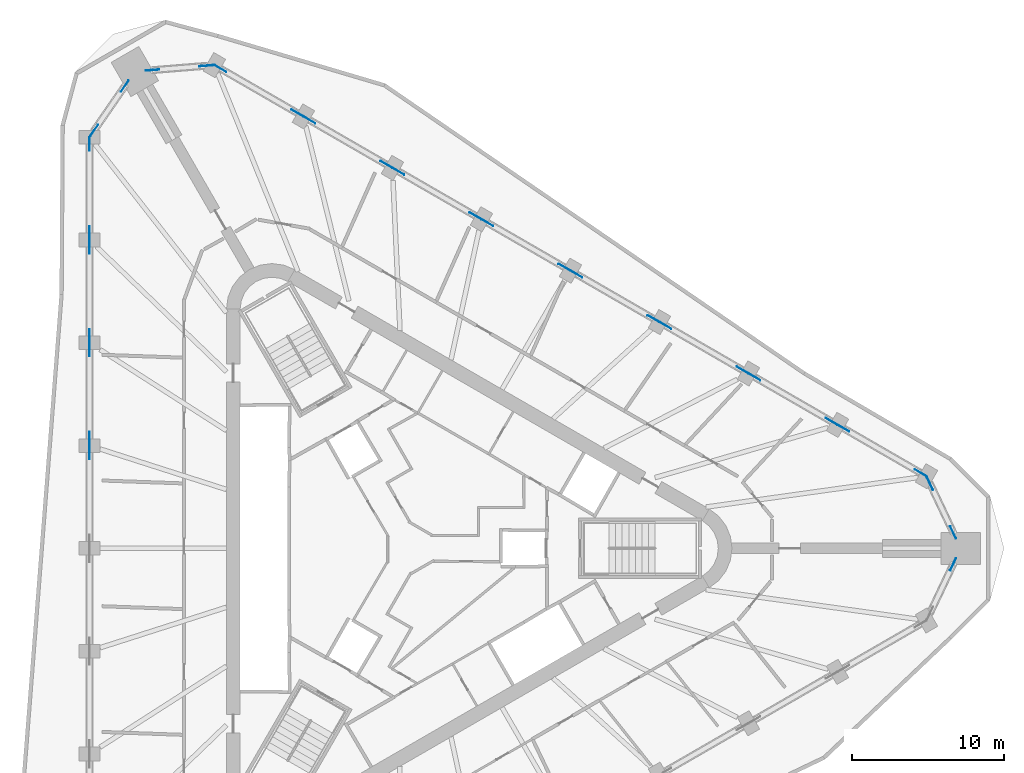
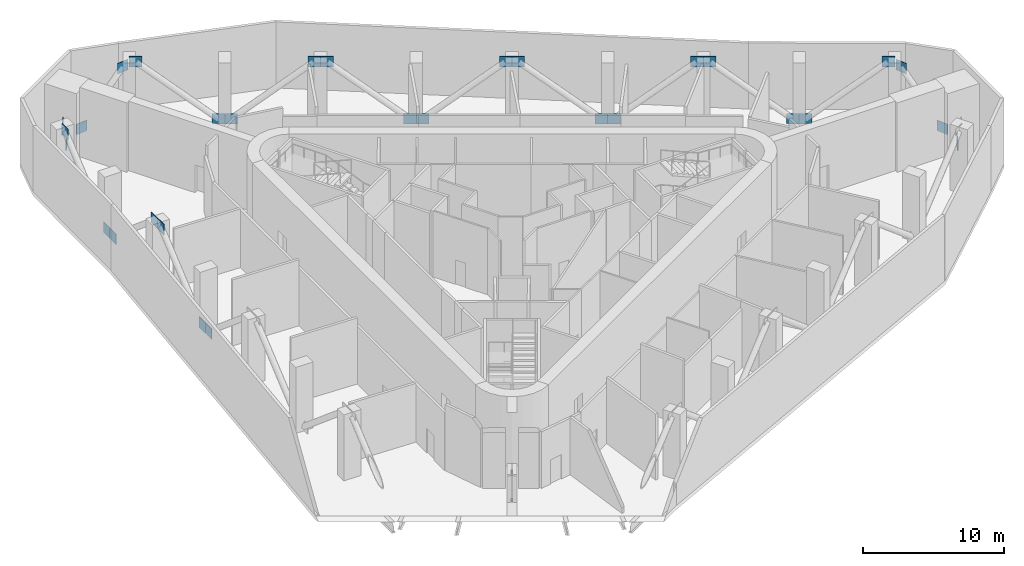
# One storey, part 10 of 12: 30 discrete accessories.
"""IFC4 building model written with IfcOpenShell, lengths in metres."""

from ifc_helpers import new_model, si_unit, direction, frame, origin, origin_2d, place, context, subcontext, project, spatial, rectangle, extrude, material, layer, layer_set, type_object, element, save


model = new_model("IFC4")

# Units and contexts
model_context = context("Model", 3, precision=1e-05, world=origin(), true_north=direction((0.0, 1.0)))
body_context = subcontext(model_context, "Body", "Model", "MODEL_VIEW")
ifc_project = project(units=[si_unit("LENGTHUNIT", "METRE"), si_unit("AREAUNIT", "SQUARE_METRE"), si_unit("VOLUMEUNIT", "CUBIC_METRE"), si_unit("PLANEANGLEUNIT", "RADIAN"), si_unit("MASSUNIT", "GRAM", prefix="KILO")], contexts=[model_context])

# Site, building, storey
site_placement = place(None, origin())
site = spatial("IfcSite", under=ifc_project, at=site_placement, CompositionType="ELEMENT")
building_placement = place(site_placement, origin())
building = spatial("IfcBuilding", under=site, at=building_placement, Name="Tanit Gate Tower", CompositionType="ELEMENT")
storey_placement = place(building_placement, frame((0.0, 0.0, 292.699951171875)))
storey = spatial("IfcBuildingStorey", under=building, at=storey_placement, Name="L65", CompositionType="ELEMENT", Elevation=292.699951171875)

# Discrete accessories
ifc_material = material(Name="Steel S460", Category="steel")
ifc_layer = layer(ifc_material, 0.0400390625)
ifc_layer_set = layer_set([ifc_layer], Name="GUSSET PLATE 900x900x40 S460")
discrete_accessory_type = type_object("IfcDiscreteAccessoryType", Name="GUSSET PLATE 900x900x40 S460", PredefinedType="BRACKET", material=ifc_layer_set)
for number, where, z_axis, x_axis, name in (
    (1, (-21.121337890625, 6.321044921875, -0.071044921875), (0.0, 0.0, 1.0), (0.0, -1.0, 0.0), "GUSSET PLATE NODE L65-098"),
    (2, (-21.121337890625, 7.220947265625, -0.071044921875), (0.0, 0.0, 1.0), (0.0, 1.0, 0.0), "GUSSET PLATE NODE L65-099"),
    (3, (-21.121337890625, 13.092041015625, 4.871337890625), (0.0, 0.0, 1.0), (0.0, -1.0, 0.0), "GUSSET PLATE NODE L65-100"),
    (4, (-21.121337890625, 13.991943359375, 4.871337890625), (0.0, 0.0, 1.0), (0.0, 1.0, 0.0), "GUSSET PLATE NODE L65-101"),
    (5, (-21.121337890625, 19.86279296875, -0.071044921875), (0.0, 0.0, 1.0), (0.0, -1.0, 0.0), "GUSSET PLATE NODE L65-102"),
    (6, (-21.121337890625, 20.762939453125, -0.071044921875), (0.0, 0.0, 1.0), (0.0, 1.0, 0.0), "GUSSET PLATE NODE L65-103"),
    (7, (-21.121337890625, 26.6337890625, 4.871337890625), (0.0, 0.0, 1.0), (0.0, -1.0, 0.0), "GUSSET PLATE NODE L65-104"),
    (8, (-20.810791015625, 27.533935546875, 4.6572265625), (0.0, 0.0, 1.0), (0.568016129876, 0.823017421566, 0.0), "GUSSET PLATE NODE L65-106"),
    (9, (-18.79541015625, 30.454345703125, 0.810302734375), (0.0, 0.0, 1.0), (-0.568016129876, -0.823017421566, 0.0), "GUSSET PLATE NODE L65-108"),
    (10, (-16.9765625, 31.50439453125, 0.810302734375), (0.0, 0.0, 1.0), (0.996762059771, 0.080407687448, 0.0), "GUSSET PLATE NODE L65-110"),
    (11, (-13.439697265625, 31.78955078125, 4.6572265625), (0.0, 0.0, 1.0), (-0.996762059771, -0.080407687448, 0.0), "GUSSET PLATE NODE L65-112"),
    (12, (-12.5048828125, 31.608642578125, 4.871337890625), (0.0, 0.0, 1.0), (0.866034130299, -0.499984884929, 0.0), "GUSSET PLATE NODE L65-114"),
    (13, (-7.42041015625, 28.673095703125, -0.071044921875), (0.0, 0.0, 1.0), (-0.866034130299, 0.499984884929, 0.0), "GUSSET PLATE NODE L65-116"),
    (14, (-6.64111328125, 28.22314453125, -0.071044921875), (0.0, 0.0, 1.0), (0.866025403784, -0.5, 0.0), "GUSSET PLATE NODE L65-118"),
    (15, (-1.556640625, 25.28759765625, 4.871337890625), (0.0, 0.0, 1.0), (-0.866025403784, 0.5, 0.0), "GUSSET PLATE NODE L65-120"),
    (16, (-0.77734375, 24.837646484375, 4.871337890625), (0.0, 0.0, 1.0), (0.866025403784, -0.5, 0.0), "GUSSET PLATE NODE L65-122"),
    (17, (4.30712890625, 21.902099609375, -0.071044921875), (0.0, 0.0, 1.0), (-0.866025403784, 0.5, 0.0), "GUSSET PLATE NODE L65-124"),
    (18, (5.086669921875, 21.4521484375, -0.071044921875), (0.0, 0.0, 1.0), (0.866025403784, -0.5, 0.0), "GUSSET PLATE NODE L65-126"),
    (19, (10.1708984375, 18.5166015625, 4.871337890625), (0.0, 0.0, 1.0), (-0.866025403784, 0.5, 0.0), "GUSSET PLATE NODE L65-128"),
    (20, (10.950439453125, 18.066650390625, 4.871337890625), (0.0, 0.0, 1.0), (0.866025403784, -0.5, 0.0), "GUSSET PLATE NODE L65-130"),
    (21, (16.034912109375, 15.131103515625, -0.071044921875), (0.0, 0.0, 1.0), (-0.866025403784, 0.5, 0.0), "GUSSET PLATE NODE L65-132"),
    (22, (16.814208984375, 14.68115234375, -0.071044921875), (0.0, 0.0, 1.0), (0.866025403784, -0.5, 0.0), "GUSSET PLATE NODE L65-134"),
    (23, (21.898681640625, 11.74560546875, 4.871337890625), (0.0, 0.0, 1.0), (-0.866025403784, 0.5, 0.0), "GUSSET PLATE NODE L65-136"),
    (24, (22.677978515625, 11.295654296875, 4.871337890625), (0.0, 0.0, 1.0), (0.866025403784, -0.5, 0.0), "GUSSET PLATE NODE L65-138"),
    (25, (27.762451171875, 8.360107421875, -0.071044921875), (0.0, 0.0, 1.0), (-0.866025403784, 0.5, 0.0), "GUSSET PLATE NODE L65-140"),
    (26, (28.5419921875, 7.91015625, -0.071044921875), (0.0, 0.0, 1.0), (0.866025403784, -0.5, 0.0), "GUSSET PLATE NODE L65-142"),
    (27, (33.62646484375, 4.974609375, 4.871337890625), (0.0, 0.0, 1.0), (-0.866025403784, 0.5, 0.0), "GUSSET PLATE NODE L65-144"),
    (28, (34.25048828125, 4.255615234375, 4.6572265625), (0.0, 0.0, 1.0), (0.428745929896, -0.903425109015, 0.0), "GUSSET PLATE NODE L65-146"),
    (29, (35.77197265625, -1.050048828125, 0.810302734375), (0.0, 0.0, 1.0), (-0.428745929896, -0.903425109015, 0.0), "GUSSET PLATE NODE L65-147"),
    (30, (35.77197265625, 1.050048828125, 0.810302734375), (0.0, 0.0, 1.0), (-0.428745929896, 0.903425109015, 0.0), "GUSSET PLATE NODE L65-148"),
):
    element("IfcDiscreteAccessory", number, at=place(storey_placement, frame(where, z_axis=z_axis, x_axis=x_axis)), inside=storey, type_object=discrete_accessory_type, Name=name, PredefinedType="BRACKET", context=body_context, shape_type="SweptSolid", body=[
        extrude(rectangle(XDim=0.89990234375, YDim=0.0400390625, at=origin_2d()), origin(), (0.0, 0.0, 1.0), 0.89990234375),
    ])

save(model, "model.ifc")
